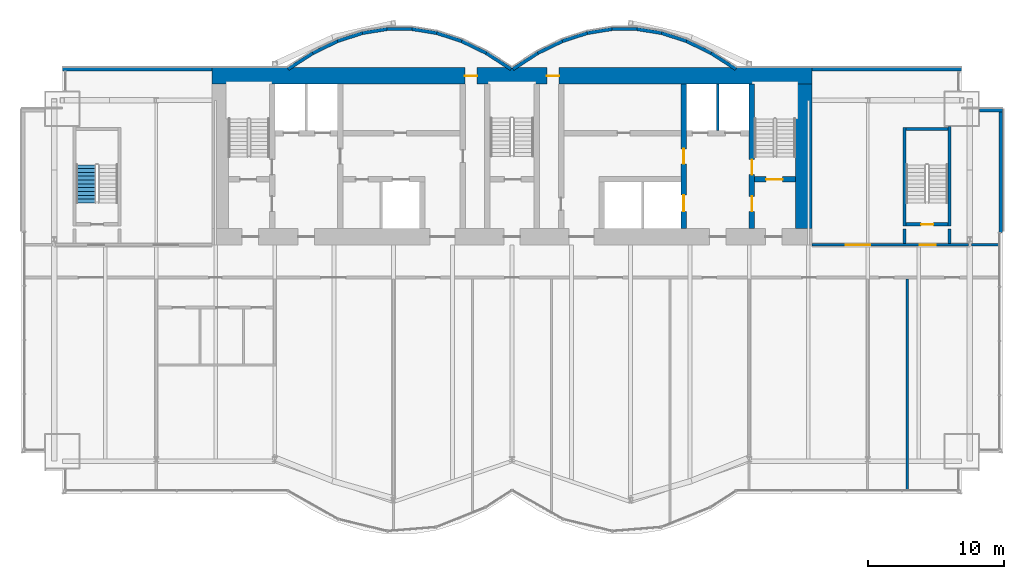
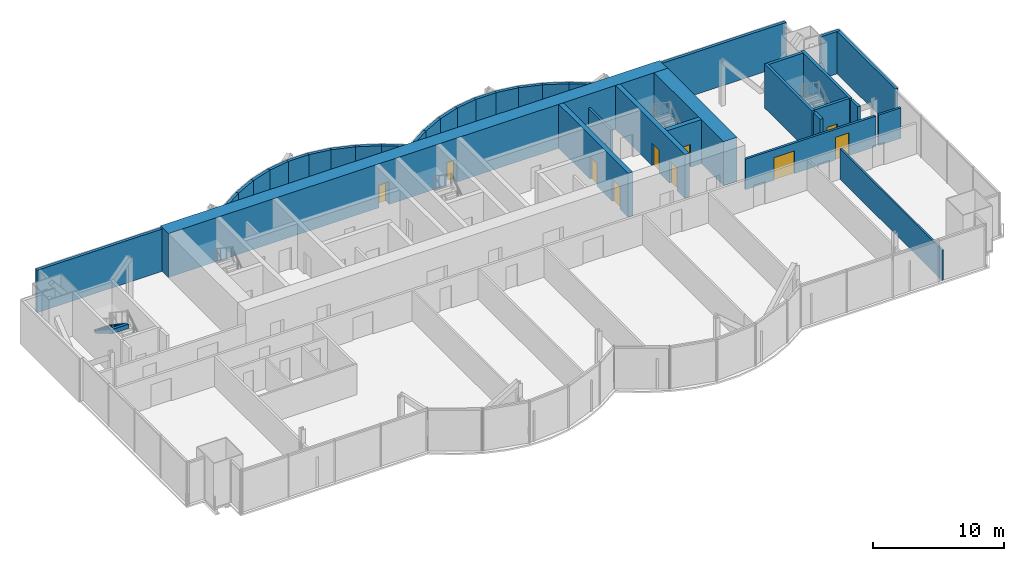
# One storey, part 16 of 20: 37 walls, 10 doors, 1 stair flight, 10 openings, 1 element without a shape of its own.
"""IFC4 building model written with IfcOpenShell, lengths in metres."""

from ifc_helpers import new_model, si_unit, direction, frame, frame_2d, origin, place, context, subcontext, project, spatial, polyline, rectangle, outline, extrude, material, layer, layer_set, layer_usage, type_object, element, fill, aggregate, save


model = new_model("IFC4")

# Units and contexts
model_context = context("Model", 3, precision=1e-05, world=origin(), true_north=direction((0.0, 1.0)))
body_context = subcontext(model_context, "Body", "Model", "MODEL_VIEW")
ifc_project = project(units=[si_unit("LENGTHUNIT", "METRE"), si_unit("AREAUNIT", "SQUARE_METRE"), si_unit("VOLUMEUNIT", "CUBIC_METRE"), si_unit("PLANEANGLEUNIT", "RADIAN"), si_unit("MASSUNIT", "GRAM", prefix="KILO")], contexts=[model_context])

# Site, building, storey
site_placement = place(None, origin())
site = spatial("IfcSite", under=ifc_project, at=site_placement, CompositionType="ELEMENT")
building_placement = place(site_placement, origin())
building = spatial("IfcBuilding", under=site, at=building_placement, Name="Bicima Exchange Tower", CompositionType="ELEMENT")
storey_placement = place(building_placement, frame((0.0, 0.0, 223.699951171875)))
storey = spatial("IfcBuildingStorey", under=building, at=storey_placement, Name="L50", CompositionType="ELEMENT", Elevation=223.699951171875)

# Wall
ifc_material_1 = material(Name="Gypsum board partition")
ifc_layer_1 = layer(ifc_material_1, 0.199951171875)
ifc_layer_set_1 = layer_set([ifc_layer_1], Name="Gypsum board partition")
wall_type_1 = type_object("IfcWallType", Name="Fire-rated gypsum partition 200 EI120", PredefinedType="PARTITIONING", material=ifc_layer_set_1)
wall_1_placement = place(storey_placement, frame((15.10009765625, -4.60009765625, 0.0), z_axis=(0.0, 0.0, 1.0), x_axis=(0.0, 1.0, 0.0)))
element("IfcWall", 1, at=wall_1_placement, inside=storey, type_object=wall_type_1, Name="partition wall 20", PredefinedType="PARTITIONING", context=body_context, shape_type="SweptSolid", body=[
    extrude(rectangle(XDim=3.400146484375, YDim=0.199951171875, at=frame_2d((1.7001953125, 0.0))), origin(), (0.0, 0.0, 1.0), 2.84033203125),
])

# Wall, openings, doors
ifc_layer_2 = layer(ifc_material_1, 0.199951171875)
ifc_layer_set_2 = layer_set([ifc_layer_2], Name="Gypsum board partition")
wall_type_2 = type_object("IfcWallType", Name="Fire-rated gypsum partition 200 EI60", PredefinedType="PARTITIONING", material=ifc_layer_set_2)
wall_2_placement = place(storey_placement, frame((22.0, -13.0, 0.0), z_axis=(0.0, 0.0, 1.0), x_axis=(1.0, 0.0, 0.0)))
wall_2 = element("IfcWall", 2, at=wall_2_placement, inside=storey, type_object=wall_type_2, Name="partition wall 6", PredefinedType="PARTITIONING", context=body_context, shape_type="SweptSolid", body=[
    extrude(rectangle(XDim=11.47998046875, YDim=0.199951171875, at=frame_2d((5.739990234375, 0.0))), origin(), (0.0, 0.0, 1.0), 2.84033203125),
])
opening_1_placement = place(wall_2_placement, frame((7.89990234375, 0.0, 0.0)))
opening_1 = element("IfcOpeningElement", 3, at=opening_1_placement, cuts=wall_2, Name="Opening L50-003", PredefinedType="OPENING", context=body_context, shape_type="SweptSolid", body=[
    extrude(rectangle(XDim=1.199951171875, YDim=2.10009765625, at=frame_2d((0.60009765625, 1.050048828125))), frame((0.0, 0.11181640625, 0.0), z_axis=(0.0, -1.0, 0.0), x_axis=(1.0, 0.0, 0.0)), (0.0, 0.0, 1.0), 0.223876953125),
])
opening_2_placement = place(wall_2_placement, frame((2.5, 0.0, 0.0)))
opening_2 = element("IfcOpeningElement", 4, at=opening_2_placement, cuts=wall_2, Name="Opening L50-006", PredefinedType="OPENING", context=body_context, shape_type="SweptSolid", body=[
    extrude(rectangle(XDim=1.800048828125, YDim=2.10009765625, at=frame_2d((0.89990234375, 1.050048828125))), frame((0.0, 0.11181640625, 0.0), z_axis=(0.0, -1.0, 0.0), x_axis=(1.0, 0.0, 0.0)), (0.0, 0.0, 1.0), 0.223876953125),
])
ifc_material_2 = material(Name="Steel fire door leaf", Category="steel")
door_type_1 = type_object("IfcDoorType", Name="Door 1200 swing FD30S", OperationType="SINGLE_SWING_LEFT", PredefinedType="DOOR", material=ifc_material_2)
door_1_placement = place(opening_1_placement, origin())
door_1 = element("IfcDoor", 5, at=door_1_placement, inside=storey, type_object=door_type_1, Name="Door", OperationType="SINGLE_SWING_RIGHT", OverallHeight=2.10009765625, OverallWidth=1.199951171875, PredefinedType="DOOR", context=body_context, shape_type="SweptSolid", body=[
    extrude(rectangle(XDim=1.199951171875, YDim=2.10009765625, at=frame_2d((0.60009765625, 1.050048828125))), frame((0.0, 0.02490234375, 0.0), z_axis=(0.0, -1.0, 0.0), x_axis=(1.0, 0.0, 0.0)), (0.0, 0.0, 1.0), 0.050048828125),
])
fill(opening_1, door_1)
door_type_2 = type_object("IfcDoorType", Name="Door 1800 double swing FD30S", OperationType="DOUBLE_DOOR_SINGLE_SWING", PredefinedType="DOOR", material=ifc_material_2)
door_2_placement = place(opening_2_placement, origin())
door_2 = element("IfcDoor", 6, at=door_2_placement, inside=storey, type_object=door_type_2, Name="Door", OperationType="SINGLE_SWING_LEFT", OverallHeight=2.10009765625, OverallWidth=1.800048828125, PredefinedType="DOOR", context=body_context, shape_type="SweptSolid", body=[
    extrude(rectangle(XDim=1.800048828125, YDim=2.10009765625, at=frame_2d((0.89990234375, 1.050048828125))), frame((0.0, 0.02490234375, 0.0), z_axis=(0.0, -1.0, 0.0), x_axis=(1.0, 0.0, 0.0)), (0.0, 0.0, 1.0), 0.050048828125),
])
fill(opening_2, door_2)

# Walls
wall_3_placement = place(storey_placement, frame((33.719970703125, -13.0, 0.0), z_axis=(0.0, 0.0, 1.0), x_axis=(1.0, 0.0, 0.0)))
element("IfcWall", 7, at=wall_3_placement, inside=storey, type_object=wall_type_2, Name="partition wall 7", PredefinedType="PARTITIONING", context=body_context, shape_type="SweptSolid", body=[
    extrude(rectangle(XDim=1.9599609375, YDim=0.199951171875, at=frame_2d((0.97998046875, 0.0))), origin(), (0.0, 0.0, 1.0), 2.84033203125),
])
ifc_layer_3 = layer(ifc_material_1, 0.14990234375)
ifc_layer_set_3 = layer_set([ifc_layer_3], Name="Gypsum board partition")
wall_type_3 = type_object("IfcWallType", Name="Gypsum partition 150", PredefinedType="PARTITIONING", material=ifc_layer_set_3)
wall_4_placement = place(storey_placement, frame((29.0, -31.050048828125, 0.0), z_axis=(0.0, 0.0, 1.0), x_axis=(0.0, 1.0, 0.0)))
element("IfcWall", 8, at=wall_4_placement, inside=storey, type_object=wall_type_3, Name="partition wall 28", PredefinedType="PARTITIONING", context=body_context, shape_type="SweptSolid", body=[
    extrude(rectangle(XDim=15.550048828125, YDim=0.14990234375, at=frame_2d((7.77490234375, 0.0))), origin(), (0.0, 0.0, 1.0), 2.84033203125),
])

# Wall, openings, doors
ifc_material_3 = material(Name="Concrete C50/60", Category="concrete")
ifc_layer_4 = layer(ifc_material_3, 1.199951171875)
ifc_layer_set_4 = layer_set([ifc_layer_4], Name="Concrete C50/60")
wall_type_4 = type_object("IfcWallType", Name="RC core wall 1200 C50/60", PredefinedType="SHEAR", material=ifc_layer_set_4)
wall_5_placement = place(storey_placement, frame((-22.0, -0.60009765625, 0.0), z_axis=(0.0, 0.0, 1.0), x_axis=(1.0, 0.0, 0.0)))
wall_5 = element("IfcWall", 9, at=wall_5_placement, inside=storey, type_object=wall_type_4, Name="Core wall north", PredefinedType="SHEAR", context=body_context, shape_type="SweptSolid", body=[
    extrude(rectangle(XDim=44.0, YDim=1.199951171875, at=frame_2d((22.0, 0.0))), origin(), (0.0, 0.0, 1.0), 4.10009765625),
])
opening_3_placement = place(wall_5_placement, frame((18.550048828125, 0.0, 0.0)))
opening_3 = element("IfcOpeningElement", 10, at=opening_3_placement, cuts=wall_5, Name="Opening L50-C15", PredefinedType="OPENING", context=body_context, shape_type="SweptSolid", body=[
    extrude(rectangle(XDim=0.89990234375, YDim=2.10009765625, at=frame_2d((0.449951171875, 1.050048828125))), frame((0.0, 0.61181640625, 0.0), z_axis=(0.0, -1.0, 0.0), x_axis=(1.0, 0.0, 0.0)), (0.0, 0.0, 1.0), 1.223876953125),
])
opening_4_placement = place(wall_5_placement, frame((24.550048828125, 0.0, 0.0)))
opening_4 = element("IfcOpeningElement", 11, at=opening_4_placement, cuts=wall_5, Name="Opening L50-C16", PredefinedType="OPENING", context=body_context, shape_type="SweptSolid", body=[
    extrude(rectangle(XDim=0.89990234375, YDim=2.10009765625, at=frame_2d((0.449951171875, 1.050048828125))), frame((0.0, 0.61181640625, 0.0), z_axis=(0.0, -1.0, 0.0), x_axis=(1.0, 0.0, 0.0)), (0.0, 0.0, 1.0), 1.223876953125),
])
door_type_3 = type_object("IfcDoorType", Name="Door 900 swing FD30S", OperationType="SINGLE_SWING_LEFT", PredefinedType="DOOR", material=ifc_material_2)
door_3_placement = place(opening_3_placement, origin())
door_3 = element("IfcDoor", 12, at=door_3_placement, inside=storey, type_object=door_type_3, Name="Core door", OperationType="SINGLE_SWING_LEFT", OverallHeight=2.10009765625, OverallWidth=0.89990234375, PredefinedType="DOOR", context=body_context, shape_type="SweptSolid", body=[
    extrude(rectangle(XDim=0.89990234375, YDim=2.10009765625, at=frame_2d((0.449951171875, 1.050048828125))), frame((0.0, 0.02490234375, 0.0), z_axis=(0.0, -1.0, 0.0), x_axis=(1.0, 0.0, 0.0)), (0.0, 0.0, 1.0), 0.050048828125),
])
fill(opening_3, door_3)
door_4_placement = place(opening_4_placement, origin())
door_4 = element("IfcDoor", 13, at=door_4_placement, inside=storey, type_object=door_type_3, Name="Core door", OperationType="SINGLE_SWING_LEFT", OverallHeight=2.10009765625, OverallWidth=0.89990234375, PredefinedType="DOOR", context=body_context, shape_type="SweptSolid", body=[
    extrude(rectangle(XDim=0.89990234375, YDim=2.10009765625, at=frame_2d((0.449951171875, 1.050048828125))), frame((0.0, 0.02490234375, 0.0), z_axis=(0.0, -1.0, 0.0), x_axis=(1.0, 0.0, 0.0)), (0.0, 0.0, 1.0), 0.050048828125),
])
fill(opening_4, door_4)

# Walls
wall_6_placement = place(storey_placement, frame((21.39990234375, -11.800048828125, 0.0), z_axis=(0.0, 0.0, 1.0), x_axis=(0.0, 1.0, 0.0)))
element("IfcWall", 14, at=wall_6_placement, inside=storey, type_object=wall_type_4, Name="Core wall east", PredefinedType="SHEAR", context=body_context, shape_type="SweptSolid", body=[
    extrude(rectangle(XDim=10.60009765625, YDim=1.199951171875, at=frame_2d((5.300048828125, 0.0))), origin(), (0.0, 0.0, 1.0), 4.10009765625),
])
ifc_layer_5 = layer(ifc_material_3, 0.25)
ifc_layer_set_5 = layer_set([ifc_layer_5], Name="Concrete C50/60")
wall_type_5 = type_object("IfcWallType", Name="RC core wall 250 C50/60", PredefinedType="SHEAR", material=ifc_layer_set_5)
for number, where, z_axis, x_axis, name in (
    (15, (28.800048828125, -12.89990234375, 0.0), (0.0, 0.0, 1.0), (0.0, 1.0, 0.0), "stair wall 27"),
    (16, (32.10009765625, -12.89990234375, 0.0), (0.0, 0.0, 1.0), (0.0, 1.0, 0.0), "stair wall 29"),
):
    element("IfcWall", number, at=place(storey_placement, frame(where, z_axis=z_axis, x_axis=x_axis)), inside=storey, type_object=wall_type_5, Name=name, PredefinedType="SHEAR", context=body_context, shape_type="SweptSolid", body=[
        extrude(rectangle(XDim=1.0498046875, YDim=0.25, at=frame_2d((0.52490234375, 0.0))), origin(), (0.0, 0.0, 1.0), 4.10009765625),
    ])

# Wall, opening, door
ifc_layer_6 = layer(ifc_material_3, 0.39990234375)
ifc_layer_set_6 = layer_set([ifc_layer_6], Name="Concrete C50/60")
wall_type_6 = type_object("IfcWallType", Name="RC core wall 400 C50/60", PredefinedType="SHEAR", material=ifc_layer_set_6)
wall_7_placement = place(storey_placement, frame((17.800048828125, -8.199951171875, 0.0), z_axis=(0.0, 0.0, 1.0), x_axis=(1.0, 0.0, 0.0)))
wall_7 = element("IfcWall", 17, at=wall_7_placement, inside=storey, type_object=wall_type_6, Name="stair wall 5", PredefinedType="SHEAR", context=body_context, shape_type="SweptSolid", body=[
    extrude(rectangle(XDim=3.0, YDim=0.39990234375, at=frame_2d((1.5, 0.0))), origin(), (0.0, 0.0, 1.0), 4.10009765625),
])
opening_5_placement = place(wall_7_placement, frame((0.85009765625, 0.0, 0.0)))
opening_5 = element("IfcOpeningElement", 18, at=opening_5_placement, cuts=wall_7, Name="Opening L50-C04", PredefinedType="OPENING", context=body_context, shape_type="SweptSolid", body=[
    extrude(rectangle(XDim=1.199951171875, YDim=2.10009765625, at=frame_2d((0.60009765625, 1.050048828125))), frame((0.0, 0.2119140625, 0.0), z_axis=(0.0, -1.0, 0.0), x_axis=(1.0, 0.0, 0.0)), (0.0, 0.0, 1.0), 0.423828125),
])
door_type_4 = type_object("IfcDoorType", Name="Door 1200 swing FD60S", OperationType="SINGLE_SWING_LEFT", PredefinedType="DOOR", material=ifc_material_2)
door_5_placement = place(opening_5_placement, origin())
door_5 = element("IfcDoor", 19, at=door_5_placement, inside=storey, type_object=door_type_4, Name="Core door", OperationType="SINGLE_SWING_RIGHT", OverallHeight=2.10009765625, OverallWidth=1.199951171875, PredefinedType="DOOR", context=body_context, shape_type="SweptSolid", body=[
    extrude(rectangle(XDim=1.199951171875, YDim=2.10009765625, at=frame_2d((0.60009765625, 1.050048828125))), frame((0.0, 0.02490234375, 0.0), z_axis=(0.0, -1.0, 0.0), x_axis=(1.0, 0.0, 0.0)), (0.0, 0.0, 1.0), 0.050048828125),
])
fill(opening_5, door_5)

# Wall, openings, doors
wall_8_placement = place(storey_placement, frame((12.60009765625, -11.800048828125, 0.0), z_axis=(0.0, 0.0, 1.0), x_axis=(0.0, 1.0, 0.0)))
wall_8 = element("IfcWall", 20, at=wall_8_placement, inside=storey, type_object=wall_type_6, Name="shear wall 19", PredefinedType="SHEAR", context=body_context, shape_type="SweptSolid", body=[
    extrude(rectangle(XDim=10.60009765625, YDim=0.39990234375, at=frame_2d((5.300048828125, 0.0))), origin(), (0.0, 0.0, 1.0), 4.10009765625),
])
opening_6_placement = place(wall_8_placement, frame((1.25, 0.0, 0.0)))
opening_6 = element("IfcOpeningElement", 21, at=opening_6_placement, cuts=wall_8, Name="Opening LD-MB2-L50", PredefinedType="OPENING", context=body_context, shape_type="SweptSolid", body=[
    extrude(rectangle(XDim=1.199951171875, YDim=2.10009765625, at=frame_2d((0.60009765625, 1.050048828125))), frame((0.0, 0.2119140625, 0.0), z_axis=(0.0, -1.0, 0.0), x_axis=(1.0, 0.0, 0.0)), (0.0, 0.0, 1.0), 0.423828125),
])
opening_7_placement = place(wall_8_placement, frame((4.75, 0.0, 0.0)))
opening_7 = element("IfcOpeningElement", 22, at=opening_7_placement, cuts=wall_8, Name="Opening L50-C09", PredefinedType="OPENING", context=body_context, shape_type="SweptSolid", body=[
    extrude(rectangle(XDim=1.10009765625, YDim=2.10009765625, at=frame_2d((0.550048828125, 1.050048828125))), frame((0.0, 0.2119140625, 0.0), z_axis=(0.0, -1.0, 0.0), x_axis=(1.0, 0.0, 0.0)), (0.0, 0.0, 1.0), 0.423828125),
])
door_type_5 = type_object("IfcDoorType", Name="Door 1100 swing FD60S", OperationType="SINGLE_SWING_LEFT", PredefinedType="DOOR", material=ifc_material_2)
door_6_placement = place(opening_7_placement, frame((1.10009765625, 0.0, 0.0), z_axis=(0.0, 0.0, 1.0), x_axis=(-1.0, 0.0, 0.0)))
door_6 = element("IfcDoor", 23, at=door_6_placement, inside=storey, type_object=door_type_5, Name="Core door", OperationType="SINGLE_SWING_RIGHT", OverallHeight=2.10009765625, OverallWidth=1.10009765625, PredefinedType="DOOR", context=body_context, shape_type="SweptSolid", body=[
    extrude(rectangle(XDim=1.10009765625, YDim=2.10009765625, at=frame_2d((0.550048828125, 1.050048828125))), frame((0.0, 0.02490234375, 0.0), z_axis=(0.0, -1.0, 0.0), x_axis=(1.0, 0.0, 0.0)), (0.0, 0.0, 1.0), 0.050048828125),
])
fill(opening_7, door_6)
ifc_material_4 = material(Name="Stainless steel", Category="steel")
door_type_6 = type_object("IfcDoorType", Name="Lift landing door 1200 sliding", OperationType="DOUBLE_DOOR_SLIDING", PredefinedType="DOOR", material=ifc_material_4)
door_7_placement = place(opening_6_placement, origin())
door_7 = element("IfcDoor", 24, at=door_7_placement, inside=storey, type_object=door_type_6, Name="Lift landing door MB2", OperationType="DOUBLE_DOOR_SLIDING", OverallHeight=2.10009765625, OverallWidth=1.199951171875, PredefinedType="DOOR", context=body_context, shape_type="SweptSolid", body=[
    extrude(rectangle(XDim=1.199951171875, YDim=2.10009765625, at=frame_2d((0.60009765625, 1.050048828125))), frame((0.0, 0.02490234375, 0.0), z_axis=(0.0, -1.0, 0.0), x_axis=(1.0, 0.0, 0.0)), (0.0, 0.0, 1.0), 0.050048828125),
])
fill(opening_6, door_7)

wall_9_placement = place(storey_placement, frame((17.60009765625, -11.800048828125, 0.0), z_axis=(0.0, 0.0, 1.0), x_axis=(0.0, 1.0, 0.0)))
wall_9 = element("IfcWall", 25, at=wall_9_placement, inside=storey, type_object=wall_type_6, Name="stair wall 21", PredefinedType="SHEAR", context=body_context, shape_type="SweptSolid", body=[
    extrude(rectangle(XDim=10.60009765625, YDim=0.39990234375, at=frame_2d((5.300048828125, 0.0))), origin(), (0.0, 0.0, 1.0), 4.10009765625),
])
opening_8_placement = place(wall_9_placement, frame((1.25, 0.0, 0.0)))
opening_8 = element("IfcOpeningElement", 26, at=opening_8_placement, cuts=wall_9, Name="Opening L50-C05", PredefinedType="OPENING", context=body_context, shape_type="SweptSolid", body=[
    extrude(rectangle(XDim=1.10009765625, YDim=2.10009765625, at=frame_2d((0.550048828125, 1.050048828125))), frame((0.0, 0.2119140625, 0.0), z_axis=(0.0, -1.0, 0.0), x_axis=(1.0, 0.0, 0.0)), (0.0, 0.0, 1.0), 0.423828125),
])
opening_9_placement = place(wall_9_placement, frame((3.949951171875, 0.0, 0.0)))
opening_9 = element("IfcOpeningElement", 27, at=opening_9_placement, cuts=wall_9, Name="Opening L50-C08", PredefinedType="OPENING", context=body_context, shape_type="SweptSolid", body=[
    extrude(rectangle(XDim=1.10009765625, YDim=2.10009765625, at=frame_2d((0.550048828125, 1.050048828125))), frame((0.0, 0.2119140625, 0.0), z_axis=(0.0, -1.0, 0.0), x_axis=(1.0, 0.0, 0.0)), (0.0, 0.0, 1.0), 0.423828125),
])
door_8_placement = place(opening_8_placement, origin())
door_8 = element("IfcDoor", 28, at=door_8_placement, inside=storey, type_object=door_type_5, Name="Core door", OperationType="SINGLE_SWING_LEFT", OverallHeight=2.10009765625, OverallWidth=1.10009765625, PredefinedType="DOOR", context=body_context, shape_type="SweptSolid", body=[
    extrude(rectangle(XDim=1.10009765625, YDim=2.10009765625, at=frame_2d((0.550048828125, 1.050048828125))), frame((0.0, 0.02490234375, 0.0), z_axis=(0.0, -1.0, 0.0), x_axis=(1.0, 0.0, 0.0)), (0.0, 0.0, 1.0), 0.050048828125),
])
fill(opening_8, door_8)
door_9_placement = place(opening_9_placement, origin())
door_9 = element("IfcDoor", 29, at=door_9_placement, inside=storey, type_object=door_type_5, Name="Core door", OperationType="SINGLE_SWING_RIGHT", OverallHeight=2.10009765625, OverallWidth=1.10009765625, PredefinedType="DOOR", context=body_context, shape_type="SweptSolid", body=[
    extrude(rectangle(XDim=1.10009765625, YDim=2.10009765625, at=frame_2d((0.550048828125, 1.050048828125))), frame((0.0, 0.02490234375, 0.0), z_axis=(0.0, -1.0, 0.0), x_axis=(1.0, 0.0, 0.0)), (0.0, 0.0, 1.0), 0.050048828125),
])
fill(opening_9, door_9)

# Walls
ifc_layer_7 = layer(ifc_material_3, 0.25)
ifc_layer_set_7 = layer_set([ifc_layer_7], Name="Concrete C50/60")
wall_type_7 = type_object("IfcWallType", Name="RC stair enclosure wall 250 C50/60", PredefinedType="SHEAR", material=ifc_layer_set_7)
wall_10_placement = place(storey_placement, frame((28.800048828125, -11.625, 0.0), z_axis=(0.0, 0.0, 1.0), x_axis=(0.0, 1.0, 0.0)))
element("IfcWall", 30, at=wall_10_placement, inside=storey, type_object=wall_type_7, Name="East end exit stair wall W", PredefinedType="SHEAR", context=body_context, shape_type="SweptSolid", body=[
    extrude(rectangle(XDim=7.25, YDim=0.25, at=frame_2d((3.625, 0.0))), origin(), (0.0, 0.0, 1.0), 4.10009765625),
])
wall_11_placement = place(storey_placement, frame((32.10009765625, -11.625, 0.0), z_axis=(0.0, 0.0, 1.0), x_axis=(0.0, 1.0, 0.0)))
element("IfcWall", 31, at=wall_11_placement, inside=storey, type_object=wall_type_7, Name="East end exit stair wall E", PredefinedType="SHEAR", context=body_context, shape_type="SweptSolid", body=[
    extrude(rectangle(XDim=7.324951171875, YDim=0.25, at=frame_2d((3.66259765625, 0.0))), origin(), (0.0, 0.0, 1.0), 4.10009765625),
])

# Wall, opening, door
wall_12_placement = place(storey_placement, frame((28.925048828125, -11.5, 0.0), z_axis=(0.0, 0.0, 1.0), x_axis=(1.0, 0.0, 0.0)))
wall_12 = element("IfcWall", 32, at=wall_12_placement, inside=storey, type_object=wall_type_7, Name="East end exit stair wall S", PredefinedType="SHEAR", context=body_context, shape_type="SweptSolid", body=[
    extrude(rectangle(XDim=3.050048828125, YDim=0.25, at=frame_2d((1.52490234375, 0.0))), origin(), (0.0, 0.0, 1.0), 4.10009765625),
])
opening_10_placement = place(wall_12_placement, frame((1.10009765625, 0.0, 0.0)))
opening_10 = element("IfcOpeningElement", 33, at=opening_10_placement, cuts=wall_12, Name="Opening L50-004", PredefinedType="OPENING", context=body_context, shape_type="SweptSolid", body=[
    extrude(rectangle(XDim=0.89990234375, YDim=2.10009765625, at=frame_2d((0.449951171875, 1.050048828125))), frame((0.0, 0.136962890625, 0.0), z_axis=(0.0, -1.0, 0.0), x_axis=(1.0, 0.0, 0.0)), (0.0, 0.0, 1.0), 0.27392578125),
])
door_type_7 = type_object("IfcDoorType", Name="Door 900 swing FD60S", OperationType="SINGLE_SWING_LEFT", PredefinedType="DOOR", material=ifc_material_2)
door_10_placement = place(opening_10_placement, origin())
door_10 = element("IfcDoor", 34, at=door_10_placement, inside=storey, type_object=door_type_7, Name="Door", OperationType="SINGLE_SWING_LEFT", OverallHeight=2.10009765625, OverallWidth=0.89990234375, PredefinedType="DOOR", context=body_context, shape_type="SweptSolid", body=[
    extrude(rectangle(XDim=0.89990234375, YDim=2.10009765625, at=frame_2d((0.449951171875, 1.050048828125))), frame((0.0, 0.02490234375, 0.0), z_axis=(0.0, -1.0, 0.0), x_axis=(1.0, 0.0, 0.0)), (0.0, 0.0, 1.0), 0.050048828125),
])
fill(opening_10, door_10)

# Walls
wall_13_placement = place(storey_placement, frame((28.925048828125, -4.5, 0.0), z_axis=(0.0, 0.0, 1.0), x_axis=(1.0, 0.0, 0.0)))
element("IfcWall", 35, at=wall_13_placement, inside=storey, type_object=wall_type_7, Name="East end exit stair wall N", PredefinedType="SHEAR", context=body_context, shape_type="SweptSolid", body=[
    extrude(rectangle(XDim=3.050048828125, YDim=0.25, at=frame_2d((1.52490234375, 0.0))), origin(), (0.0, 0.0, 1.0), 4.10009765625),
])
ifc_material_5 = material(Name="Concrete C40/50", Category="concrete")
ifc_layer_8 = layer(ifc_material_5, 0.25)
ifc_layer_set_8 = layer_set([ifc_layer_8], Name="Concrete C40/50")
ifc_layer_usage = layer_usage(ifc_layer_set_8, "AXIS2", "POSITIVE", -0.125)
wall_type_8 = type_object("IfcWallType", Name="Rear backup wall 250", PredefinedType="STANDARD", material=ifc_layer_set_8)
wall_14_placement = place(storey_placement, frame((33.0, -0.125, 0.0), z_axis=(0.0, 0.0, 1.0), x_axis=(-1.0, 0.0, 0.0)))
element("IfcWall", 36, at=wall_14_placement, inside=storey, type_object=wall_type_8, material=ifc_layer_usage, Name="Rear backup wall L50 1", PredefinedType="STANDARD", context=body_context, shape_type="SweptSolid", body=[
    extrude(rectangle(XDim=11.0, YDim=0.25, at=frame_2d((5.5, 0.0))), origin(), (0.0, 0.0, 1.0), 3.949951171875),
])
wall_15_placement = place(storey_placement, frame((16.43212890625, -0.10498046875, 0.0), z_axis=(0.0, 0.0, 1.0), x_axis=(-0.83981312244, 0.542875602121, 0.0)))
element("IfcWall", 37, at=wall_15_placement, inside=storey, type_object=wall_type_8, material=ifc_layer_usage, Name="Rear backup wall L50 2", PredefinedType="STANDARD", context=body_context, shape_type="SweptSolid", body=[
    extrude(rectangle(XDim=2.182861328125, YDim=0.25, at=frame_2d((1.09130859375, 0.0))), origin(), (0.0, 0.0, 1.0), 3.949951171875),
])
wall_16_placement = place(storey_placement, frame((14.6123046875, 1.07275390625, 0.0), z_axis=(0.0, 0.0, 1.0), x_axis=(-0.89982408427, 0.436252928206, 0.0)))
element("IfcWall", 38, at=wall_16_placement, inside=storey, type_object=wall_type_8, material=ifc_layer_usage, Name="Rear backup wall L50 3", PredefinedType="STANDARD", context=body_context, shape_type="SweptSolid", body=[
    extrude(rectangle(XDim=2.03759765625, YDim=0.25, at=frame_2d((1.018798828125, 0.0))), origin(), (0.0, 0.0, 1.0), 3.949951171875),
])
wall_17_placement = place(storey_placement, frame((12.794921875, 1.955078125, 0.0), z_axis=(0.0, 0.0, 1.0), x_axis=(-0.951495806175, 0.307661714928, 0.0)))
element("IfcWall", 39, at=wall_17_placement, inside=storey, type_object=wall_type_8, material=ifc_layer_usage, Name="Rear backup wall L50 4", PredefinedType="STANDARD", context=body_context, shape_type="SweptSolid", body=[
    extrude(rectangle(XDim=1.9267578125, YDim=0.25, at=frame_2d((0.96337890625, 0.0))), origin(), (0.0, 0.0, 1.0), 3.949951171875),
])
wall_18_placement = place(storey_placement, frame((10.97998046875, 2.543212890625, 0.0), z_axis=(0.0, 0.0, 1.0), x_axis=(-0.987181718931, 0.159600293885, 0.0)))
element("IfcWall", 40, at=wall_18_placement, inside=storey, type_object=wall_type_8, material=ifc_layer_usage, Name="Rear backup wall L50 5", PredefinedType="STANDARD", context=body_context, shape_type="SweptSolid", body=[
    extrude(rectangle(XDim=1.857177734375, YDim=0.25, at=frame_2d((0.9287109375, 0.0))), origin(), (0.0, 0.0, 1.0), 3.949951171875),
])
wall_19_placement = place(storey_placement, frame((9.166748046875, 2.837890625, 0.0), z_axis=(0.0, 0.0, 1.0), x_axis=(-1.0, 0.0, 0.0)))
element("IfcWall", 41, at=wall_19_placement, inside=storey, type_object=wall_type_8, material=ifc_layer_usage, Name="Rear backup wall L50 6", PredefinedType="STANDARD", context=body_context, shape_type="SweptSolid", body=[
    extrude(rectangle(XDim=1.83349609375, YDim=0.25, at=frame_2d((0.916748046875, 0.0))), origin(), (0.0, 0.0, 1.0), 3.949951171875),
])
wall_20_placement = place(storey_placement, frame((7.353271484375, 2.839599609375, 0.0), z_axis=(0.0, 0.0, 1.0), x_axis=(-0.987181718931, -0.159600293885, 0.0)))
element("IfcWall", 42, at=wall_20_placement, inside=storey, type_object=wall_type_8, material=ifc_layer_usage, Name="Rear backup wall L50 7", PredefinedType="STANDARD", context=body_context, shape_type="SweptSolid", body=[
    extrude(rectangle(XDim=1.857177734375, YDim=0.25, at=frame_2d((0.9287109375, 0.0))), origin(), (0.0, 0.0, 1.0), 3.949951171875),
])
wall_21_placement = place(storey_placement, frame((5.538330078125, 2.5478515625, 0.0), z_axis=(0.0, 0.0, 1.0), x_axis=(-0.951495806175, -0.307661714928, 0.0)))
element("IfcWall", 43, at=wall_21_placement, inside=storey, type_object=wall_type_8, material=ifc_layer_usage, Name="Rear backup wall L50 8", PredefinedType="STANDARD", context=body_context, shape_type="SweptSolid", body=[
    extrude(rectangle(XDim=1.9267578125, YDim=0.25, at=frame_2d((0.96337890625, 0.0))), origin(), (0.0, 0.0, 1.0), 3.949951171875),
])
wall_22_placement = place(storey_placement, frame((3.72119140625, 1.961669921875, 0.0), z_axis=(0.0, 0.0, 1.0), x_axis=(-0.89982408427, -0.436252928206, 0.0)))
element("IfcWall", 44, at=wall_22_placement, inside=storey, type_object=wall_type_8, material=ifc_layer_usage, Name="Rear backup wall L50 9", PredefinedType="STANDARD", context=body_context, shape_type="SweptSolid", body=[
    extrude(rectangle(XDim=2.03759765625, YDim=0.25, at=frame_2d((1.018798828125, 0.0))), origin(), (0.0, 0.0, 1.0), 3.949951171875),
])
for number, where, z_axis, x_axis, name in (
    (45, (1.901123046875, 1.080078125, 0.0), (0.0, 0.0, 1.0), (-0.83981312244, -0.542875602121, 0.0), "Rear backup wall L50 10"),
    (46, (-0.06787109375, -0.10498046875, 0.0), (0.0, 0.0, 1.0), (-0.83981312244, 0.542875602121, 0.0), "Rear backup wall L50 11"),
):
    element("IfcWall", number, at=place(storey_placement, frame(where, z_axis=z_axis, x_axis=x_axis)), inside=storey, type_object=wall_type_8, material=ifc_layer_usage, Name=name, PredefinedType="STANDARD", context=body_context, shape_type="SweptSolid", body=[
        extrude(rectangle(XDim=2.182861328125, YDim=0.25, at=frame_2d((1.09130859375, 0.0))), origin(), (0.0, 0.0, 1.0), 3.949951171875),
    ])
wall_23_placement = place(storey_placement, frame((-1.8876953125, 1.07275390625, 0.0), z_axis=(0.0, 0.0, 1.0), x_axis=(-0.89982408427, 0.436252928206, 0.0)))
element("IfcWall", 47, at=wall_23_placement, inside=storey, type_object=wall_type_8, material=ifc_layer_usage, Name="Rear backup wall L50 12", PredefinedType="STANDARD", context=body_context, shape_type="SweptSolid", body=[
    extrude(rectangle(XDim=2.03759765625, YDim=0.25, at=frame_2d((1.018798828125, 0.0))), origin(), (0.0, 0.0, 1.0), 3.949951171875),
])
wall_24_placement = place(storey_placement, frame((-3.705078125, 1.955078125, 0.0), z_axis=(0.0, 0.0, 1.0), x_axis=(-0.951495806175, 0.307661714928, 0.0)))
element("IfcWall", 48, at=wall_24_placement, inside=storey, type_object=wall_type_8, material=ifc_layer_usage, Name="Rear backup wall L50 13", PredefinedType="STANDARD", context=body_context, shape_type="SweptSolid", body=[
    extrude(rectangle(XDim=1.9267578125, YDim=0.25, at=frame_2d((0.96337890625, 0.0))), origin(), (0.0, 0.0, 1.0), 3.949951171875),
])
wall_25_placement = place(storey_placement, frame((-5.52001953125, 2.543212890625, 0.0), z_axis=(0.0, 0.0, 1.0), x_axis=(-0.987181718931, 0.159600293885, 0.0)))
element("IfcWall", 49, at=wall_25_placement, inside=storey, type_object=wall_type_8, material=ifc_layer_usage, Name="Rear backup wall L50 14", PredefinedType="STANDARD", context=body_context, shape_type="SweptSolid", body=[
    extrude(rectangle(XDim=1.857177734375, YDim=0.25, at=frame_2d((0.9287109375, 0.0))), origin(), (0.0, 0.0, 1.0), 3.949951171875),
])
wall_26_placement = place(storey_placement, frame((-7.333251953125, 2.837890625, 0.0), z_axis=(0.0, 0.0, 1.0), x_axis=(-1.0, 0.0, 0.0)))
element("IfcWall", 50, at=wall_26_placement, inside=storey, type_object=wall_type_8, material=ifc_layer_usage, Name="Rear backup wall L50 15", PredefinedType="STANDARD", context=body_context, shape_type="SweptSolid", body=[
    extrude(rectangle(XDim=1.83349609375, YDim=0.25, at=frame_2d((0.916748046875, 0.0))), origin(), (0.0, 0.0, 1.0), 3.949951171875),
])
wall_27_placement = place(storey_placement, frame((-9.146728515625, 2.839599609375, 0.0), z_axis=(0.0, 0.0, 1.0), x_axis=(-0.987181718931, -0.159600293885, 0.0)))
element("IfcWall", 51, at=wall_27_placement, inside=storey, type_object=wall_type_8, material=ifc_layer_usage, Name="Rear backup wall L50 16", PredefinedType="STANDARD", context=body_context, shape_type="SweptSolid", body=[
    extrude(rectangle(XDim=1.857177734375, YDim=0.25, at=frame_2d((0.9287109375, 0.0))), origin(), (0.0, 0.0, 1.0), 3.949951171875),
])
wall_28_placement = place(storey_placement, frame((-10.961669921875, 2.5478515625, 0.0), z_axis=(0.0, 0.0, 1.0), x_axis=(-0.951495806175, -0.307661714928, 0.0)))
element("IfcWall", 52, at=wall_28_placement, inside=storey, type_object=wall_type_8, material=ifc_layer_usage, Name="Rear backup wall L50 17", PredefinedType="STANDARD", context=body_context, shape_type="SweptSolid", body=[
    extrude(rectangle(XDim=1.9267578125, YDim=0.25, at=frame_2d((0.96337890625, 0.0))), origin(), (0.0, 0.0, 1.0), 3.949951171875),
])
wall_29_placement = place(storey_placement, frame((-12.77880859375, 1.961669921875, 0.0), z_axis=(0.0, 0.0, 1.0), x_axis=(-0.89982408427, -0.436252928206, 0.0)))
element("IfcWall", 53, at=wall_29_placement, inside=storey, type_object=wall_type_8, material=ifc_layer_usage, Name="Rear backup wall L50 18", PredefinedType="STANDARD", context=body_context, shape_type="SweptSolid", body=[
    extrude(rectangle(XDim=2.03759765625, YDim=0.25, at=frame_2d((1.018798828125, 0.0))), origin(), (0.0, 0.0, 1.0), 3.949951171875),
])
wall_30_placement = place(storey_placement, frame((-14.598876953125, 1.080078125, 0.0), z_axis=(0.0, 0.0, 1.0), x_axis=(-0.83981312244, -0.542875602121, 0.0)))
element("IfcWall", 54, at=wall_30_placement, inside=storey, type_object=wall_type_8, material=ifc_layer_usage, Name="Rear backup wall L50 19", PredefinedType="STANDARD", context=body_context, shape_type="SweptSolid", body=[
    extrude(rectangle(XDim=2.182861328125, YDim=0.25, at=frame_2d((1.09130859375, 0.0))), origin(), (0.0, 0.0, 1.0), 3.949951171875),
])
wall_31_placement = place(storey_placement, frame((-22.0, -0.125, 0.0), z_axis=(0.0, 0.0, 1.0), x_axis=(-1.0, 0.0, 0.0)))
element("IfcWall", 55, at=wall_31_placement, inside=storey, type_object=wall_type_8, material=ifc_layer_usage, Name="Rear backup wall L50 20", PredefinedType="STANDARD", context=body_context, shape_type="SweptSolid", body=[
    extrude(rectangle(XDim=11.0, YDim=0.25, at=frame_2d((5.5, 0.0))), origin(), (0.0, 0.0, 1.0), 3.949951171875),
])
wall_32_placement = place(storey_placement, frame((35.875, -12.090087890625, 0.0), z_axis=(0.0, 0.0, 1.0), x_axis=(0.0, 1.0, 0.0)))
element("IfcWall", 56, at=wall_32_placement, inside=storey, type_object=wall_type_8, material=ifc_layer_usage, Name="Rear backup wall L50 50", PredefinedType="STANDARD", context=body_context, shape_type="SweptSolid", body=[
    extrude(rectangle(XDim=9.090087890625, YDim=0.25, at=frame_2d((4.544921875, 0.0))), origin(), (0.0, 0.0, 1.0), 3.949951171875),
])
wall_33_placement = place(storey_placement, frame((36.0, -3.125, 0.0), z_axis=(0.0, 0.0, 1.0), x_axis=(-1.0, 0.0, 0.0)))
element("IfcWall", 57, at=wall_33_placement, inside=storey, type_object=wall_type_8, material=ifc_layer_usage, Name="Rear backup wall L50 51", PredefinedType="STANDARD", context=body_context, shape_type="SweptSolid", body=[
    extrude(rectangle(XDim=1.699951171875, YDim=0.25, at=frame_2d((0.85009765625, 0.0))), origin(), (0.0, 0.0, 1.0), 3.949951171875),
])

# Stair, stair flight
stair_type = type_object("IfcStairType", Name="Exit stair", PredefinedType="HALF_TURN_STAIR", material=ifc_material_3)
stair_placement = place(storey_placement, origin())
stair = element("IfcStair", 58, at=stair_placement, inside=storey, type_object=stair_type, Name="L50 West end exit stair", PredefinedType="HALF_TURN_STAIR")
stair_flight_type = type_object("IfcStairFlightType", Name="Stair flight RC", PredefinedType="STRAIGHT", material=ifc_material_3)
stair_flight_placement = place(storey_placement, frame((-31.25, -7.125, 2.050048828125), z_axis=(0.0, 0.0, 1.0), x_axis=(0.0, -1.0, 0.0)))
stair_flight = element("IfcStairFlight", 59, at=stair_flight_placement, type_object=stair_flight_type, Name="ST-WW flight 2", NumberOfRisers=11, NumberOfTreads=10, PredefinedType="STRAIGHT", RiserHeight=0.186363636, TreadLength=0.28, context=body_context, shape_type="SweptSolid", body=[
    extrude(outline(polyline([(0.0, 0.0), (0.0, 0.186279296875), (0.280029296875, 0.186279296875), (0.280029296875, 0.372802734375), (0.56005859375, 0.372802734375), (0.56005859375, 0.55908203125), (0.840087890625, 0.55908203125), (0.840087890625, 0.745361328125), (1.1201171875, 0.745361328125), (1.1201171875, 0.931884765625), (1.39990234375, 0.931884765625), (1.39990234375, 1.1181640625), (1.679931640625, 1.1181640625), (1.679931640625, 1.304443359375), (1.9599609375, 1.304443359375), (1.9599609375, 1.490966796875), (2.239990234375, 1.490966796875), (2.239990234375, 1.67724609375), (2.52001953125, 1.67724609375), (2.52001953125, 1.863525390625), (2.800048828125, 1.863525390625), (2.800048828125, 1.904052734375), (2.81494140625, 1.904052734375), (2.81494140625, 1.507080078125), (0.2705078125, 0.0), (0.0, 0.0)])), frame((0.0, 0.72509765625, 0.0), z_axis=(0.0, -1.0, 0.0), x_axis=(1.0, 0.0, 0.0)), (0.0, 0.0, 1.0), 1.449951171875),
])
aggregate(stair, [stair_flight])

save(model, "model.ifc")
